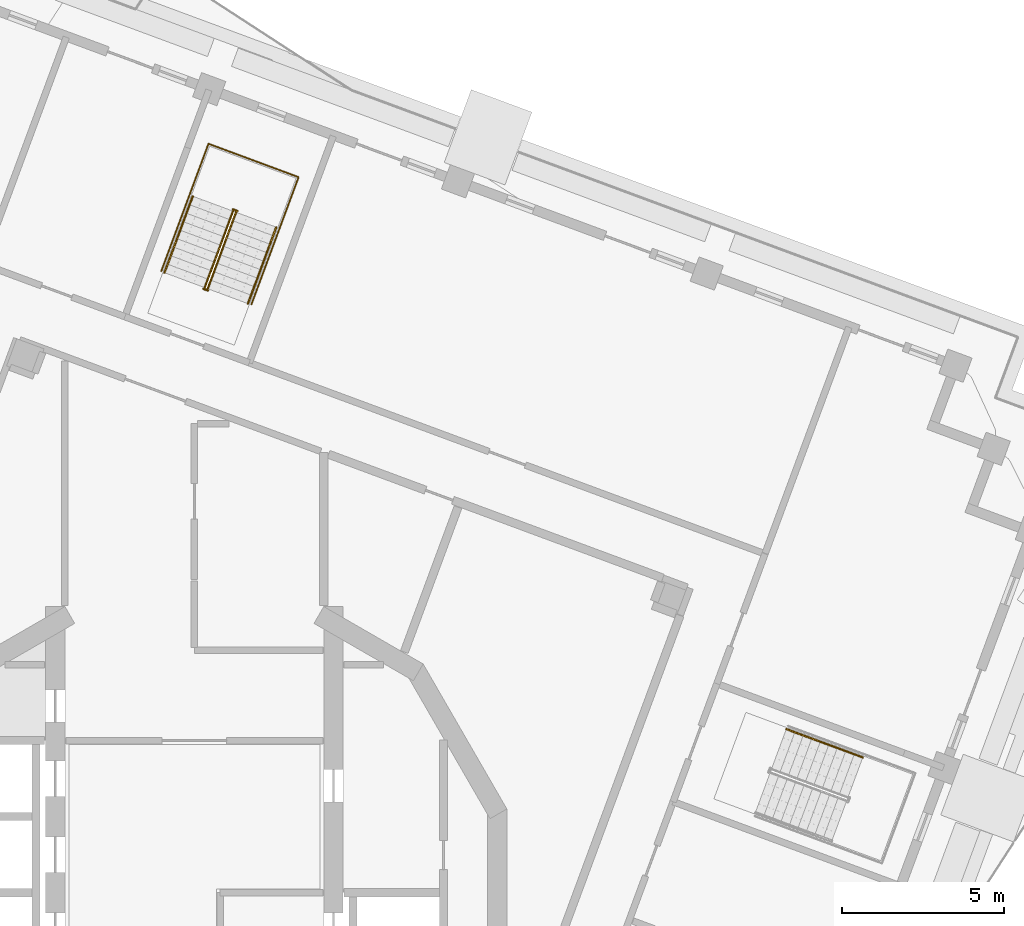
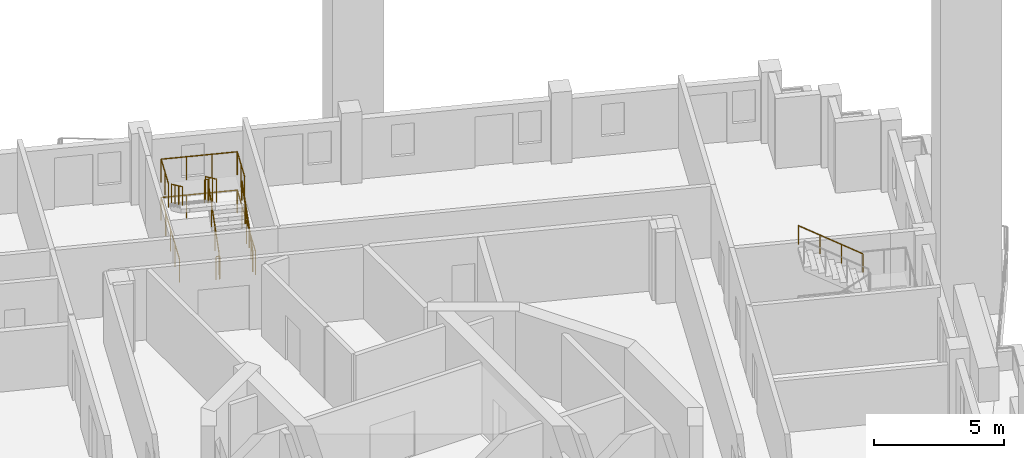
# One storey, part 18 of 20: 8 railings.
"""IFC4 building model written with IfcOpenShell, lengths in metres."""

import ifcopenshell
import ifcopenshell.guid

model = None  # the IFC model being written
_history = None  # IfcOwnerHistory: only IFC2X3 demands one
_inside = {}  # id of a spatial element -> (the spatial element, [elements in it])
_under = {}  # id of a project, library or spatial element -> (it, [spatial elements below it])
_declared = {}  # id of a project -> (the project, [libraries it declares])
_typed = {}  # id of a type object -> (the type object, [elements of that type])
_made_of = {}  # id of a material, layer set ... -> (it, [elements and type objects made of it])


def new_model(schema):
    """Start an empty IFC model of exactly this schema.

    Asked for "IFC4X3", IfcOpenShell would pick the latest addendum, in which some entities
    have other attributes; the version numbers below select the first issue.
    IFC2X3 requires an IfcOwnerHistory on every rooted entity: one is made here for all.
    """
    global model, _history
    if schema == "IFC4X3":
        model = ifcopenshell.file(schema_version=(4, 3, 0, 0))
    else:
        model = ifcopenshell.file(schema=schema)
    _inside.clear()
    _under.clear()
    _declared.clear()
    _typed.clear()
    _made_of.clear()
    _history = None
    if model.schema == "IFC2X3":
        org = make("IfcOrganization", Name="unknown")
        user = make(
            "IfcPersonAndOrganization",
            ThePerson=make("IfcPerson", FamilyName="unknown"),
            TheOrganization=org,
        )
        app = make(
            "IfcApplication",
            ApplicationDeveloper=org,
            Version="unknown",
            ApplicationFullName="unknown",
            ApplicationIdentifier="unknown",
        )
        _history = make(
            "IfcOwnerHistory",
            OwningUser=user,
            OwningApplication=app,
            ChangeAction="ADDED",
            CreationDate=0,
        )
    return model


def make(cls, **values):
    """One entity of the class cls with the attributes given. An attribute that is None is left unset."""
    return model.create_entity(
        cls, **{name: value for name, value in values.items() if value is not None}
    )


def rooted(cls, **values):
    """An entity with a GlobalId (a new one), such as an element, a storey or a relation."""
    return make(cls, GlobalId=ifcopenshell.guid.new(), OwnerHistory=_history, **values)


def si_unit(unit_type, name, prefix=None):
    """IfcSIUnit, for example si_unit("LENGTHUNIT", "METRE", prefix="MILLI")."""
    return make("IfcSIUnit", UnitType=unit_type, Prefix=prefix, Name=name)


def assignment(units):
    """IfcUnitAssignment: the units of a project."""
    return None if units is None else make("IfcUnitAssignment", Units=units)


def point(xyz):
    """IfcCartesianPoint."""
    return None if xyz is None else make("IfcCartesianPoint", Coordinates=xyz)


def direction(xyz):
    """IfcDirection."""
    return None if xyz is None else make("IfcDirection", DirectionRatios=xyz)


def frame(location, z_axis=None, x_axis=None):
    """IfcAxis2Placement3D, a coordinate frame: its origin and axes. An axis left out is left unset."""
    return make(
        "IfcAxis2Placement3D",
        Location=point(location),
        Axis=direction(z_axis),
        RefDirection=direction(x_axis),
    )


def frame_2d(location, x_axis=None):
    """IfcAxis2Placement2D, a coordinate frame in the plane: its origin and x axis."""
    return make(
        "IfcAxis2Placement2D", Location=point(location), RefDirection=direction(x_axis)
    )


def origin():
    """The frame at (0, 0, 0) with its axes left unset."""
    return frame((0.0, 0.0, 0.0))


def origin_2d():
    """The frame at (0, 0) in the plane with its x axis left unset."""
    return frame_2d((0.0, 0.0))


def place(relative_to, where):
    """IfcLocalPlacement: puts the frame where relative to a parent placement (None: the world)."""
    return make(
        "IfcLocalPlacement", PlacementRelTo=relative_to, RelativePlacement=where
    )


def context(
    kind, dimensions, precision=None, world=None, true_north=None, identifier=None
):
    """IfcGeometricRepresentationContext, for example the 3D "Model" context."""
    return make(
        "IfcGeometricRepresentationContext",
        ContextIdentifier=identifier,
        ContextType=kind,
        CoordinateSpaceDimension=dimensions,
        Precision=precision,
        WorldCoordinateSystem=world,
        TrueNorth=true_north,
    )


def subcontext(parent, identifier, kind, view, scale=None):
    """IfcGeometricRepresentationSubContext, for example "Body" below "Model"."""
    return make(
        "IfcGeometricRepresentationSubContext",
        ContextIdentifier=identifier,
        ContextType=kind,
        ParentContext=parent,
        TargetScale=scale,
        TargetView=view,
    )


def project(units=None, contexts=None):
    """IfcProject with its units and contexts."""
    return rooted(
        "IfcProject",
        Name="project",
        RepresentationContexts=contexts,
        UnitsInContext=assignment(units),
    )


def spatial(cls, under=None, at=None, **own):
    """A site, building, storey or space (cls), placed at a placement, below another one or the project."""
    s = rooted(cls, ObjectPlacement=at, **own)
    if under is not None:
        _under.setdefault(under.id(), (under, []))[1].append(s)
    return s


def profile(cls, at=None, kind="AREA", **sizes):
    """A parametric profile (cls). Its sizes go by their IFC names, for example OverallWidth=200.0."""
    return make(cls, ProfileType=kind, Position=at, **sizes)


def circle(**sizes):
    """IfcCircleProfileDef."""
    return profile("IfcCircleProfileDef", **sizes)


def extrude(swept, where, along, depth):
    """IfcExtrudedAreaSolid: the profile swept, set in the frame where, extruded along a direction by depth."""
    return make(
        "IfcExtrudedAreaSolid",
        SweptArea=swept,
        Position=where,
        ExtrudedDirection=direction(along),
        Depth=depth,
    )


def shape(context_of_items, identifier, shape_type, items):
    """IfcShapeRepresentation: the items that make up one representation, for example the "Body"."""
    return make(
        "IfcShapeRepresentation",
        ContextOfItems=context_of_items,
        RepresentationIdentifier=identifier,
        RepresentationType=shape_type,
        Items=items,
    )


def material(Name=None, Category=None):
    """IfcMaterial."""
    return make("IfcMaterial", Name=Name, Category=Category)


def made_of(thing, what):
    """Note that an element or type object is made of a material, layer set ...; save() writes the relation."""
    if what is not None:
        _made_of.setdefault(what.id(), (what, []))[1].append(thing)
    return thing


def type_object(cls, material=None, **own):
    """A type object (cls), such as IfcWallType, which elements share."""
    return made_of(rooted(cls, **own), material)


def element(
    cls,
    number,
    at=None,
    inside=None,
    cuts=None,
    type_object=None,
    material=None,
    context=None,
    identifier="Body",
    shape_type=None,
    held_by="IfcProductDefinitionShape",
    body=None,
    shapes=None,
    **own,
):
    """One element of the class cls, such as IfcWall. Its Tag is "e" and its number.

    at: its placement. inside: the storey or other place that contains it. cuts: it is an
    opening in that element (IfcRelVoidsElement). A single representation is given by context,
    identifier, shape_type and body (its items); several are given by shapes. held_by: the class
    of the entity that holds the representations. save() writes the other relations.
    """
    e = rooted(cls, Tag="e%d" % number, ObjectPlacement=at, **own)
    if body is not None:
        shapes = [shape(context, identifier, shape_type, body)]
    if shapes is not None:
        e.Representation = make(held_by, Representations=shapes)
    if inside is not None:
        _inside.setdefault(inside.id(), (inside, []))[1].append(e)
    if cuts is not None:
        rooted(
            "IfcRelVoidsElement", RelatingBuildingElement=cuts, RelatedOpeningElement=e
        )
    if type_object is not None:
        _typed.setdefault(type_object.id(), (type_object, []))[1].append(e)
    return made_of(e, material)


def aggregate(whole, parts):
    """IfcRelAggregates: a whole, such as a stair, and the parts it consists of."""
    return rooted("IfcRelAggregates", RelatingObject=whole, RelatedObjects=parts)


def save(model, path):
    """Write the relations noted so far, then the file.

    IfcRelAggregates (storeys below a building ...), IfcRelContainedInSpatialStructure (elements
    in a storey), IfcRelDefinesByType, IfcRelAssociatesMaterial and IfcRelDeclares: one each for
    every whole, place, type object, material and project.
    """
    for whole, parts in _under.values():
        aggregate(whole, parts)
    for where, things in _inside.values():
        rooted(
            "IfcRelContainedInSpatialStructure",
            RelatedElements=things,
            RelatingStructure=where,
        )
    for kind, things in _typed.values():
        rooted("IfcRelDefinesByType", RelatedObjects=things, RelatingType=kind)
    for what, things in _made_of.values():
        rooted("IfcRelAssociatesMaterial", RelatedObjects=things, RelatingMaterial=what)
    for by, libraries in _declared.values():
        rooted("IfcRelDeclares", RelatingContext=by, RelatedDefinitions=libraries)
    model.write(path)


model = new_model("IFC4")

# Units and contexts
model_context = context("Model", 3, precision=1e-05, world=origin(), true_north=direction((0.0, 1.0)))
body_context = subcontext(model_context, "Body", "Model", "MODEL_VIEW")
ifc_project = project(units=[si_unit("LENGTHUNIT", "METRE"), si_unit("AREAUNIT", "SQUARE_METRE"), si_unit("VOLUMEUNIT", "CUBIC_METRE"), si_unit("PLANEANGLEUNIT", "RADIAN"), si_unit("MASSUNIT", "GRAM", prefix="KILO")], contexts=[model_context])

# Site, building, storey
site_placement = place(None, origin())
site = spatial("IfcSite", under=ifc_project, at=site_placement, CompositionType="ELEMENT")
building_placement = place(site_placement, origin())
building = spatial("IfcBuilding", under=site, at=building_placement, Name="Cantera Rosa Tower", CompositionType="ELEMENT")
storey_placement = place(building_placement, frame((0.0, 0.0, 306.10009765625)))
storey = spatial("IfcBuildingStorey", under=building, at=storey_placement, Name="L67", CompositionType="ELEMENT", Elevation=306.10009765625)

# Railings
ifc_material_1 = material(Name="Steel S355J2 (EN 10025-2)", Category="steel")
railing_type_1 = type_object("IfcRailingType", Name="STAIR GUARD 1100", PredefinedType="GUARDRAIL", material=ifc_material_1)
railing_1_placement = place(storey_placement, frame((0.412109375, 18.670166015625, 0.179931640625)))
element("IfcRailing", 1, at=railing_1_placement, inside=storey, type_object=railing_type_1, Name="L67 ST-62 stair guard 1", PredefinedType="GUARDRAIL", context=body_context, shape_type="SweptSolid", body=[
    extrude(circle(Radius=0.02392578125, at=origin_2d()), frame((0.0, 0.0, 1.076171875), z_axis=(0.292319685639, 0.78878233546, 0.540713998944), x_axis=(-0.937679794265, 0.347500508527, 0.0)), (0.0, 0.0, 1.0), 2.995849609375),
    extrude(circle(Radius=0.02392578125, at=origin_2d()), frame((0.875732421875, 2.363037109375, 2.69580078125), z_axis=(0.740919573429, 0.671593765389, 0.0), x_axis=(-0.671593765389, 0.740919573429, 0.0)), (0.0, 0.0, 1.0), 0.056396484375),
    extrude(circle(Radius=0.02392578125, at=origin_2d()), frame((0.91748046875, 2.40087890625, 2.69580078125), z_axis=(-0.937925419525, 0.346837004095, 0.0), x_axis=(-0.346837004095, -0.937925419525, 0.0)), (0.0, 0.0, 1.0), 0.14990234375),
    extrude(circle(Radius=0.02099609375, at=origin_2d()), origin(), (0.0, 0.0, 1.0), 1.052001953125),
    extrude(circle(Radius=0.02099609375, at=origin_2d()), frame((0.2919921875, 0.78759765625, 0.5400390625)), (0.0, 0.0, 1.0), 1.052001953125),
    extrude(circle(Radius=0.02099609375, at=origin_2d()), frame((0.583740234375, 1.575439453125, 1.079833984375)), (0.0, 0.0, 1.0), 1.052001953125),
    extrude(circle(Radius=0.02099609375, at=origin_2d()), frame((0.875732421875, 2.363037109375, 1.619873046875)), (0.0, 0.0, 1.0), 1.052001953125),
    extrude(circle(Radius=0.02099609375, at=origin_2d()), frame((0.91748046875, 2.40087890625, 1.619873046875)), (0.0, 0.0, 1.0), 1.052001953125),
    extrude(circle(Radius=0.02099609375, at=origin_2d()), frame((0.77685546875, 2.452880859375, 1.619873046875)), (0.0, 0.0, 1.0), 1.052001953125),
])
railing_2_placement = place(storey_placement, frame((1.196044921875, 21.067138671875, 1.97998046875)))
element("IfcRailing", 2, at=railing_2_placement, inside=storey, type_object=railing_type_1, Name="L67 ST-62 stair guard 2", PredefinedType="GUARDRAIL", context=body_context, shape_type="SweptSolid", body=[
    extrude(circle(Radius=0.02392578125, at=origin_2d()), frame((0.0, 0.0, 1.076171875), z_axis=(-0.292319685639, -0.78878233546, 0.540713998944), x_axis=(0.937679794265, -0.347500508527, 0.0)), (0.0, 0.0, 1.0), 2.995849609375),
    extrude(circle(Radius=0.02099609375, at=origin_2d()), origin(), (0.0, 0.0, 1.0), 1.052001953125),
    extrude(circle(Radius=0.02099609375, at=origin_2d()), frame((-0.2919921875, -0.78759765625, 0.5400390625)), (0.0, 0.0, 1.0), 1.052001953125),
    extrude(circle(Radius=0.02099609375, at=origin_2d()), frame((-0.583740234375, -1.575439453125, 1.079833984375)), (0.0, 0.0, 1.0), 1.052001953125),
    extrude(circle(Radius=0.02099609375, at=origin_2d()), frame((-0.875732421875, -2.363037109375, 1.619873046875)), (0.0, 0.0, 1.0), 1.052001953125),
])
railing_3_placement = place(storey_placement, frame((0.419189453125, 18.6142578125, 0.0)))
element("IfcRailing", 3, at=railing_3_placement, inside=storey, type_object=railing_type_1, Name="L67 ST-62 stair guard 3", PredefinedType="GUARDRAIL", context=body_context, shape_type="SweptSolid", body=[
    extrude(circle(Radius=0.02392578125, at=origin_2d()), frame((0.0, 0.0, 1.076171875), z_axis=(-0.937925419525, 0.346837004095, 0.0), x_axis=(-0.346837004095, -0.937925419525, 0.0)), (0.0, 0.0, 1.0), 0.14990234375),
    extrude(circle(Radius=0.02099609375, at=origin_2d()), origin(), (0.0, 0.0, 1.0), 1.052001953125),
    extrude(circle(Radius=0.02099609375, at=origin_2d()), frame((-0.140625, 0.052001953125, 0.0)), (0.0, 0.0, 1.0), 1.052001953125),
])
railing_4_placement = place(storey_placement, frame((1.762939453125, 18.182373046875, 0.0)))
element("IfcRailing", 4, at=railing_4_placement, inside=storey, type_object=railing_type_1, Name="L67 ST-62 stair guard 4", PredefinedType="GUARDRAIL", context=body_context, shape_type="SweptSolid", body=[
    extrude(circle(Radius=0.02392578125, at=origin_2d()), frame((0.0, 0.0, 1.076171875), z_axis=(0.347475346394, 0.937689118871, 0.0), x_axis=(-0.937689118871, 0.347475346394, 0.0)), (0.0, 0.0, 1.0), 4.197998046875),
    extrude(circle(Radius=0.02392578125, at=origin_2d()), frame((1.458740234375, 3.9365234375, 1.076171875), z_axis=(-0.937690243436, 0.347472311651, 0.0), x_axis=(-0.347472311651, -0.937690243436, 0.0)), (0.0, 0.0, 1.0), 2.969970703125),
    extrude(circle(Radius=0.02392578125, at=origin_2d()), frame((-1.326171875, 4.968505859375, 1.076171875), z_axis=(-0.347475346394, -0.937689118871, 0.0), x_axis=(0.937689118871, -0.347475346394, 0.0)), (0.0, 0.0, 1.0), 4.197998046875),
    extrude(circle(Radius=0.02099609375, at=origin_2d()), origin(), (0.0, 0.0, 1.0), 1.052001953125),
    extrude(circle(Radius=0.02099609375, at=origin_2d()), frame((0.36474609375, 0.984130859375, 0.0)), (0.0, 0.0, 1.0), 1.052001953125),
    extrude(circle(Radius=0.02099609375, at=origin_2d()), frame((0.7294921875, 1.96826171875, 0.0)), (0.0, 0.0, 1.0), 1.052001953125),
    extrude(circle(Radius=0.02099609375, at=origin_2d()), frame((1.093994140625, 2.952392578125, 0.0)), (0.0, 0.0, 1.0), 1.052001953125),
    extrude(circle(Radius=0.02099609375, at=origin_2d()), frame((1.458740234375, 3.9365234375, 0.0)), (0.0, 0.0, 1.0), 1.052001953125),
    extrude(circle(Radius=0.02099609375, at=origin_2d()), frame((0.530517578125, 4.280517578125, 0.0)), (0.0, 0.0, 1.0), 1.052001953125),
    extrude(circle(Radius=0.02099609375, at=origin_2d()), frame((-0.39794921875, 4.62451171875, 0.0)), (0.0, 0.0, 1.0), 1.052001953125),
    extrude(circle(Radius=0.02099609375, at=origin_2d()), frame((-1.326171875, 4.968505859375, 0.0)), (0.0, 0.0, 1.0), 1.052001953125),
    extrude(circle(Radius=0.02099609375, at=origin_2d()), frame((-1.69091796875, 3.984375, 0.0)), (0.0, 0.0, 1.0), 1.052001953125),
    extrude(circle(Radius=0.02099609375, at=origin_2d()), frame((-2.0556640625, 3.000244140625, 0.0)), (0.0, 0.0, 1.0), 1.052001953125),
    extrude(circle(Radius=0.02099609375, at=origin_2d()), frame((-2.420166015625, 2.01611328125, 0.0)), (0.0, 0.0, 1.0), 1.052001953125),
    extrude(circle(Radius=0.02099609375, at=origin_2d()), frame((-2.784912109375, 1.031982421875, 0.0)), (0.0, 0.0, 1.0), 1.052001953125),
])
railing_5_placement = place(storey_placement, frame((2.630126953125, 20.52294921875, 1.7998046875)))
element("IfcRailing", 5, at=railing_5_placement, inside=storey, type_object=railing_type_1, Name="L67 ST-62 stair guard 5", PredefinedType="GUARDRAIL", context=body_context, shape_type="SweptSolid", body=[
    extrude(circle(Radius=0.02392578125, at=origin_2d()), frame((0.0, 0.0, 1.076171875), z_axis=(0.347552602091, 0.937660486946, 0.0), x_axis=(-0.937660486946, 0.347552602091, 0.0)), (0.0, 0.0, 1.0), 1.7021484375),
    extrude(circle(Radius=0.02392578125, at=origin_2d()), frame((0.591552734375, 1.595947265625, 1.076171875), z_axis=(-0.937690243436, 0.347472311651, 0.0), x_axis=(-0.347472311651, -0.937690243436, 0.0)), (0.0, 0.0, 1.0), 2.969970703125),
    extrude(circle(Radius=0.02392578125, at=origin_2d()), frame((-2.193359375, 2.6279296875, 1.076171875), z_axis=(-0.347552602091, -0.937660486946, 0.0), x_axis=(0.937660486946, -0.347552602091, 0.0)), (0.0, 0.0, 1.0), 1.7021484375),
    extrude(circle(Radius=0.02099609375, at=origin_2d()), origin(), (0.0, 0.0, 1.0), 1.052001953125),
    extrude(circle(Radius=0.02099609375, at=origin_2d()), frame((0.2958984375, 0.7978515625, 0.0)), (0.0, 0.0, 1.0), 1.052001953125),
    extrude(circle(Radius=0.02099609375, at=origin_2d()), frame((0.591552734375, 1.595947265625, 0.0)), (0.0, 0.0, 1.0), 1.052001953125),
    extrude(circle(Radius=0.02099609375, at=origin_2d()), frame((-0.336669921875, 1.93994140625, 0.0)), (0.0, 0.0, 1.0), 1.052001953125),
    extrude(circle(Radius=0.02099609375, at=origin_2d()), frame((-1.26513671875, 2.283935546875, 0.0)), (0.0, 0.0, 1.0), 1.052001953125),
    extrude(circle(Radius=0.02099609375, at=origin_2d()), frame((-2.193359375, 2.6279296875, 0.0)), (0.0, 0.0, 1.0), 1.052001953125),
    extrude(circle(Radius=0.02099609375, at=origin_2d()), frame((-2.4892578125, 1.830078125, 0.0)), (0.0, 0.0, 1.0), 1.052001953125),
    extrude(circle(Radius=0.02099609375, at=origin_2d()), frame((-2.784912109375, 1.031982421875, 0.0)), (0.0, 0.0, 1.0), 1.052001953125),
])
ifc_material_2 = material(Name="Steel S355J2 (EN 10025-2)", Category="steel")
railing_type_2 = type_object("IfcRailingType", Name="STAIR HANDRAIL 900", PredefinedType="HANDRAIL", material=ifc_material_2)
railing_6_placement = place(storey_placement, frame((20.660400390625, 4.181396484375, 1.97998046875)))
element("IfcRailing", 6, at=railing_6_placement, inside=storey, type_object=railing_type_2, Name="L67 ST-61 stair handrail 2", PredefinedType="HANDRAIL", context=body_context, shape_type="SweptSolid", body=[
    extrude(circle(Radius=0.02392578125, at=origin_2d()), frame((0.0, 0.0, 0.8759765625), z_axis=(-0.78878233546, 0.292319685639, 0.540713998944), x_axis=(-0.347500508527, -0.937679794265, 0.0)), (0.0, 0.0, 1.0), 2.995849609375),
    extrude(circle(Radius=0.02099609375, at=origin_2d()), origin(), (0.0, 0.0, 1.0), 0.851806640625),
    extrude(circle(Radius=0.02099609375, at=origin_2d()), frame((-0.78759765625, 0.2919921875, 0.5400390625)), (0.0, 0.0, 1.0), 0.851806640625),
    extrude(circle(Radius=0.02099609375, at=origin_2d()), frame((-1.575439453125, 0.583740234375, 1.079833984375)), (0.0, 0.0, 1.0), 0.851806640625),
    extrude(circle(Radius=0.02099609375, at=origin_2d()), frame((-2.363037109375, 0.875732421875, 1.619873046875)), (0.0, 0.0, 1.0), 0.851806640625),
])
railing_7_placement = place(storey_placement, frame((1.655517578125, 18.20947265625, 0.179931640625)))
element("IfcRailing", 7, at=railing_7_placement, inside=storey, type_object=railing_type_2, Name="L67 ST-62 stair handrail 1", PredefinedType="HANDRAIL", context=body_context, shape_type="SweptSolid", body=[
    extrude(circle(Radius=0.02392578125, at=origin_2d()), frame((0.0, 0.0, 0.8759765625), z_axis=(0.292338477135, 0.788751542156, 0.540748758236), x_axis=(-0.937668094043, 0.347532078253, 0.0)), (0.0, 0.0, 1.0), 2.99560546875),
    extrude(circle(Radius=0.02099609375, at=origin_2d()), origin(), (0.0, 0.0, 1.0), 0.851806640625),
    extrude(circle(Radius=0.02099609375, at=origin_2d()), frame((0.2919921875, 0.78759765625, 0.5400390625)), (0.0, 0.0, 1.0), 0.851806640625),
    extrude(circle(Radius=0.02099609375, at=origin_2d()), frame((0.583740234375, 1.5751953125, 1.079833984375)), (0.0, 0.0, 1.0), 0.851806640625),
    extrude(circle(Radius=0.02099609375, at=origin_2d()), frame((0.875732421875, 2.36279296875, 1.619873046875)), (0.0, 0.0, 1.0), 0.851806640625),
])
railing_8_placement = place(storey_placement, frame((-0.04736328125, 21.52783203125, 1.97998046875)))
element("IfcRailing", 8, at=railing_8_placement, inside=storey, type_object=railing_type_2, Name="L67 ST-62 stair handrail 2", PredefinedType="HANDRAIL", context=body_context, shape_type="SweptSolid", body=[
    extrude(circle(Radius=0.02392578125, at=origin_2d()), frame((0.0, 0.0, 0.8759765625), z_axis=(-0.292338477135, -0.788751542156, 0.540748758236), x_axis=(0.937668094043, -0.347532078253, 0.0)), (0.0, 0.0, 1.0), 2.99560546875),
    extrude(circle(Radius=0.02099609375, at=origin_2d()), origin(), (0.0, 0.0, 1.0), 0.851806640625),
    extrude(circle(Radius=0.02099609375, at=origin_2d()), frame((-0.2919921875, -0.78759765625, 0.5400390625)), (0.0, 0.0, 1.0), 0.851806640625),
    extrude(circle(Radius=0.02099609375, at=origin_2d()), frame((-0.583740234375, -1.5751953125, 1.079833984375)), (0.0, 0.0, 1.0), 0.851806640625),
    extrude(circle(Radius=0.02099609375, at=origin_2d()), frame((-0.875732421875, -2.36279296875, 1.619873046875)), (0.0, 0.0, 1.0), 0.851806640625),
])

save(model, "model.ifc")
